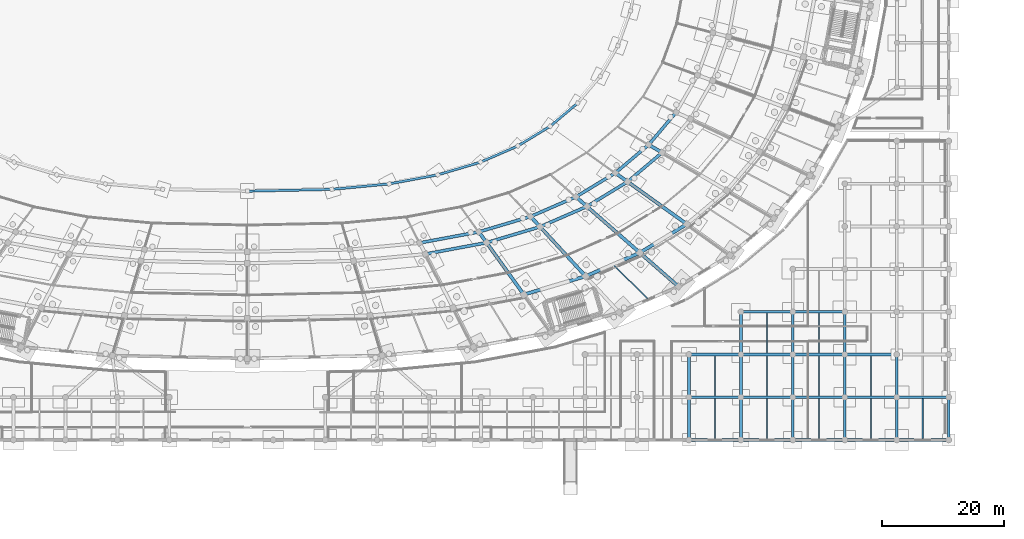
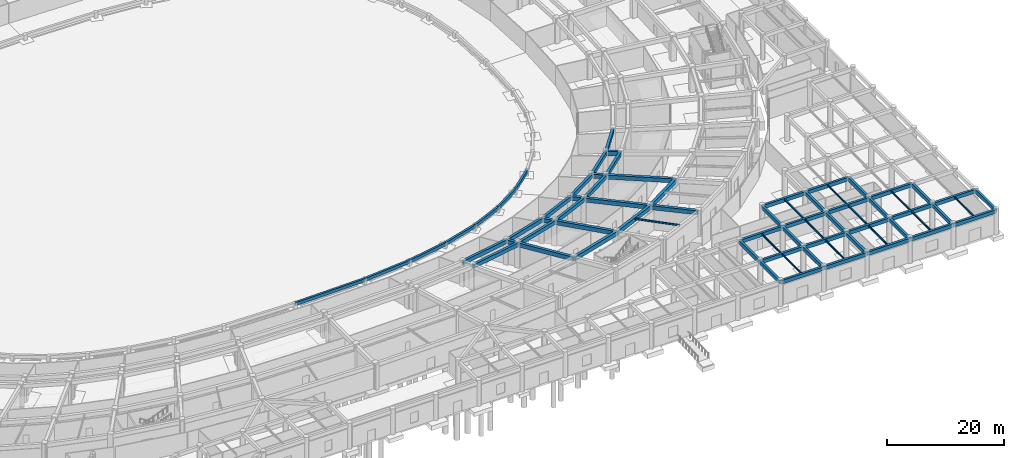
# One storey, part 30 of 88: 73 beams.
"""IFC4 building model written with IfcOpenShell, lengths in metres."""

from ifc_helpers import new_model, si_unit, direction, frame, origin, origin_2d, place, context, subcontext, project, spatial, rectangle, i_section, extrude, material, material_profile, profile_set, type_object, element, save


model = new_model("IFC4")

# Units and contexts
model_context = context("Model", 3, precision=1e-05, world=origin(), true_north=direction((0.0, 1.0)))
body_context = subcontext(model_context, "Body", "Model", "MODEL_VIEW")
ifc_project = project(units=[si_unit("LENGTHUNIT", "METRE"), si_unit("AREAUNIT", "SQUARE_METRE"), si_unit("VOLUMEUNIT", "CUBIC_METRE"), si_unit("PLANEANGLEUNIT", "RADIAN"), si_unit("MASSUNIT", "GRAM", prefix="KILO")], contexts=[model_context])

# Site, building, storey
site_placement = place(None, origin())
site = spatial("IfcSite", under=ifc_project, at=site_placement, CompositionType="ELEMENT")
building_placement = place(site_placement, origin())
building = spatial("IfcBuilding", under=site, at=building_placement, Name="Mphavela Belvedere Stadium", CompositionType="ELEMENT")
storey_placement = place(building_placement, origin())
storey = spatial("IfcBuildingStorey", under=building, at=storey_placement, Name="L00", CompositionType="ELEMENT", Elevation=0.0)

# Beams
ifc_material_1 = material(Name="Steel S355", Category="steel")
ifc_material_profile_1 = material_profile(ifc_material_1, i_section(OverallWidth=0.169921875, OverallDepth=0.360107421875, WebThickness=0.008056640625, FlangeThickness=0.0126953125, at=origin_2d()), Name="IPE 360")
ifc_profile_set_1 = profile_set([ifc_material_profile_1], Name="Steel S355")
beam_type_1 = type_object("IfcBeamType", Name="BM-JOIST-IPE360", PredefinedType="JOIST", material=ifc_profile_set_1)
beam_1_placement = place(storey_placement, frame((174.918212890625, 28.757568359375, 4.969970703125), z_axis=(0.717067022089, -0.697004222249, 0.0), x_axis=(0.697004222249, 0.717067022089, 0.0)))
element("IfcBeam", 1, at=beam_1_placement, inside=storey, type_object=beam_type_1, Name="Concourse floor joist L00-41", PredefinedType="JOIST", context=body_context, shape_type="SweptSolid", body=[
    extrude(i_section(OverallWidth=0.169921875, OverallDepth=0.360107421875, WebThickness=0.008056640625, FlangeThickness=0.0126953125, at=origin_2d()), origin(), (0.0, 0.0, 1.0), 8.22607421875),
])
for number, where, z_axis, x_axis, name in (
    (2, (191.66650390625, 0.22509765625, 4.9599609375), (0.0, 1.0, 0.0), (-1.0, 0.0, 0.0), "South Axial Triumphal Peristyle Portico secondary joist L00 23-1"),
    (3, (191.66650390625, 7.22509765625, 4.9599609375), (0.0, 1.0, 0.0), (-1.0, 0.0, 0.0), "South Axial Triumphal Peristyle Portico secondary joist L00 23-2"),
    (4, (200.18505859375, 0.22509765625, 4.9599609375), (0.0, 1.0, 0.0), (-1.0, 0.0, 0.0), "South Axial Triumphal Peristyle Portico secondary joist L00 24-1"),
    (5, (200.18505859375, 7.22509765625, 4.9599609375), (0.0, 1.0, 0.0), (-1.0, 0.0, 0.0), "South Axial Triumphal Peristyle Portico secondary joist L00 24-2"),
    (6, (200.18505859375, 14.22509765625, 4.9599609375), (0.0, 1.0, 0.0), (-1.0, 0.0, 0.0), "South Axial Triumphal Peristyle Portico secondary joist L00 24-3"),
    (7, (208.70361328125, 0.22509765625, 4.9599609375), (0.0, 1.0, 0.0), (-1.0, 0.0, 0.0), "South Axial Triumphal Peristyle Portico secondary joist L00 25-1"),
    (8, (208.70361328125, 7.22509765625, 4.9599609375), (0.0, 1.0, 0.0), (-1.0, 0.0, 0.0), "South Axial Triumphal Peristyle Portico secondary joist L00 25-2"),
    (9, (208.70361328125, 14.22509765625, 4.9599609375), (0.0, 1.0, 0.0), (-1.0, 0.0, 0.0), "South Axial Triumphal Peristyle Portico secondary joist L00 25-3"),
    (10, (217.221923828125, 0.22509765625, 4.9599609375), (0.0, 1.0, 0.0), (-1.0, 0.0, 0.0), "South Axial Triumphal Peristyle Portico secondary joist L00 26-1"),
    (11, (217.221923828125, 7.22509765625, 4.9599609375), (0.0, 1.0, 0.0), (-1.0, 0.0, 0.0), "South Axial Triumphal Peristyle Portico secondary joist L00 26-2"),
    (12, (225.740478515625, 0.22509765625, 4.9599609375), (0.0, 1.0, 0.0), (-1.0, 0.0, 0.0), "South Axial Triumphal Peristyle Portico secondary joist L00 27-1"),
):
    element("IfcBeam", number, at=place(storey_placement, frame(where, z_axis=z_axis, x_axis=x_axis)), inside=storey, type_object=beam_type_1, Name=name, PredefinedType="JOIST", context=body_context, shape_type="SweptSolid", body=[
        extrude(i_section(OverallWidth=0.169921875, OverallDepth=0.360107421875, WebThickness=0.008056640625, FlangeThickness=0.0126953125, at=origin_2d()), origin(), (0.0, 0.0, 1.0), 6.5498046875),
    ])
ifc_material_2 = material(Name="Concrete C40/50", Category="concrete")
ifc_material_profile_2 = material_profile(ifc_material_2, rectangle(XDim=0.39990234375, YDim=0.64990234375, at=origin_2d()), Name="RC 400x650")
ifc_profile_set_2 = profile_set([ifc_material_profile_2], Name="Concrete C40/50")
beam_type_2 = type_object("IfcBeamType", Name="BM-RC400x650", PredefinedType="BEAM", material=ifc_profile_set_2)
beam_2_placement = place(storey_placement, frame((115.0, 40.782470703125, 0.824951171875), z_axis=(0.99976811519, 0.021534062558, 0.0), x_axis=(-0.021534062558, 0.99976811519, 0.0)))
element("IfcBeam", 13, at=beam_2_placement, inside=storey, type_object=beam_type_2, Name="Lower tier plinth ring beam 37", PredefinedType="BEAM", context=body_context, shape_type="SweptSolid", body=[
    extrude(rectangle(XDim=0.39990234375, YDim=0.64990234375, at=origin_2d()), origin(), (0.0, 0.0, 1.0), 13.876953125),
])
beam_3_placement = place(storey_placement, frame((128.873779296875, 41.081298828125, 0.824951171875), z_axis=(0.995485107266, 0.094917865605, 0.0), x_axis=(-0.094917865605, 0.995485107266, 0.0)))
element("IfcBeam", 14, at=beam_3_placement, inside=storey, type_object=beam_type_2, Name="Lower tier plinth ring beam 38", PredefinedType="BEAM", context=body_context, shape_type="SweptSolid", body=[
    extrude(rectangle(XDim=0.39990234375, YDim=0.64990234375, at=origin_2d()), origin(), (0.0, 0.0, 1.0), 9.4267578125),
])
beam_4_placement = place(storey_placement, frame((138.258056640625, 41.97607421875, 0.824951171875), z_axis=(0.983092319169, 0.183110600433, 0.0), x_axis=(-0.183110600433, 0.983092319169, 0.0)))
element("IfcBeam", 15, at=beam_4_placement, inside=storey, type_object=beam_type_2, Name="Lower tier plinth ring beam 39", PredefinedType="BEAM", context=body_context, shape_type="SweptSolid", body=[
    extrude(rectangle(XDim=0.39990234375, YDim=0.64990234375, at=origin_2d()), origin(), (0.0, 0.0, 1.0), 8.12255859375),
])
beam_5_placement = place(storey_placement, frame((146.2431640625, 43.46337890625, 0.824951171875), z_axis=(0.958662145349, 0.284546817018, 0.0), x_axis=(-0.284546817018, 0.958662145349, 0.0)))
element("IfcBeam", 16, at=beam_5_placement, inside=storey, type_object=beam_type_2, Name="Lower tier plinth ring beam 40", PredefinedType="BEAM", context=body_context, shape_type="SweptSolid", body=[
    extrude(rectangle(XDim=0.39990234375, YDim=0.64990234375, at=origin_2d()), origin(), (0.0, 0.0, 1.0), 7.287841796875),
])
beam_6_placement = place(storey_placement, frame((153.229736328125, 45.537109375, 0.824951171875), z_axis=(0.917505783131, 0.397722438293, 0.0), x_axis=(-0.397722438293, 0.917505783131, 0.0)))
element("IfcBeam", 17, at=beam_6_placement, inside=storey, type_object=beam_type_2, Name="Lower tier plinth ring beam 41", PredefinedType="BEAM", context=body_context, shape_type="SweptSolid", body=[
    extrude(rectangle(XDim=0.39990234375, YDim=0.64990234375, at=origin_2d()), origin(), (0.0, 0.0, 1.0), 6.672607421875),
])
beam_7_placement = place(storey_placement, frame((159.351806640625, 48.19091796875, 0.824951171875), z_axis=(0.854317681937, 0.519751188868, 0.0), x_axis=(-0.519751188868, 0.854317681937, 0.0)))
element("IfcBeam", 18, at=beam_7_placement, inside=storey, type_object=beam_type_2, Name="Lower tier plinth ring beam 42", PredefinedType="BEAM", context=body_context, shape_type="SweptSolid", body=[
    extrude(rectangle(XDim=0.39990234375, YDim=0.64990234375, at=origin_2d()), origin(), (0.0, 0.0, 1.0), 6.212158203125),
])
beam_8_placement = place(storey_placement, frame((164.658935546875, 51.419677734375, 0.824951171875), z_axis=(0.764252578724, 0.644917045762, 0.0), x_axis=(-0.644917045762, 0.764252578724, 0.0)))
element("IfcBeam", 19, at=beam_8_placement, inside=storey, type_object=beam_type_2, Name="Lower tier plinth ring beam 43", PredefinedType="BEAM", context=body_context, shape_type="SweptSolid", body=[
    extrude(rectangle(XDim=0.39990234375, YDim=0.64990234375, at=origin_2d()), origin(), (0.0, 0.0, 1.0), 5.89599609375),
])
ifc_material_3 = material(Name="Concrete C40/50", Category="concrete")
ifc_material_profile_3 = material_profile(ifc_material_3, rectangle(XDim=0.449951171875, YDim=0.75, at=origin_2d()), Name="RC 450x750")
ifc_profile_set_3 = profile_set([ifc_material_profile_3], Name="Concrete C40/50")
beam_type_3 = type_object("IfcBeamType", Name="BM-RC450x750", PredefinedType="BEAM", material=ifc_profile_set_3)
beam_9_placement = place(storey_placement, frame((187.406982421875, 0.0, 4.764892578125), z_axis=(1.0, 0.0, 0.0), x_axis=(0.0, 1.0, 0.0)))
element("IfcBeam", 20, at=beam_9_placement, inside=storey, type_object=beam_type_3, Name="South Axial Triumphal Peristyle Portico entablature beam X L00 23-1", PredefinedType="BEAM", context=body_context, shape_type="SweptSolid", body=[
    extrude(rectangle(XDim=0.449951171875, YDim=0.75, at=origin_2d()), origin(), (0.0, 0.0, 1.0), 8.51904296875),
])
beam_10_placement = place(storey_placement, frame((187.406982421875, 0.0, 4.764892578125), z_axis=(0.0, 1.0, 0.0), x_axis=(-1.0, 0.0, 0.0)))
element("IfcBeam", 21, at=beam_10_placement, inside=storey, type_object=beam_type_3, Name="South Axial Triumphal Peristyle Portico entablature beam Y L00 23-1", PredefinedType="BEAM", context=body_context, shape_type="SweptSolid", body=[
    extrude(rectangle(XDim=0.449951171875, YDim=0.75, at=origin_2d()), origin(), (0.0, 0.0, 1.0), 7.0),
])
beam_11_placement = place(storey_placement, frame((187.406982421875, 7.0, 4.764892578125), z_axis=(1.0, 0.0, 0.0), x_axis=(0.0, 1.0, 0.0)))
element("IfcBeam", 22, at=beam_11_placement, inside=storey, type_object=beam_type_3, Name="South Axial Triumphal Peristyle Portico entablature beam X L00 23-2", PredefinedType="BEAM", context=body_context, shape_type="SweptSolid", body=[
    extrude(rectangle(XDim=0.449951171875, YDim=0.75, at=origin_2d()), origin(), (0.0, 0.0, 1.0), 8.51904296875),
])
beam_12_placement = place(storey_placement, frame((187.406982421875, 7.0, 4.764892578125), z_axis=(0.0, 1.0, 0.0), x_axis=(-1.0, 0.0, 0.0)))
element("IfcBeam", 23, at=beam_12_placement, inside=storey, type_object=beam_type_3, Name="South Axial Triumphal Peristyle Portico entablature beam Y L00 23-2", PredefinedType="BEAM", context=body_context, shape_type="SweptSolid", body=[
    extrude(rectangle(XDim=0.449951171875, YDim=0.75, at=origin_2d()), origin(), (0.0, 0.0, 1.0), 7.0),
])
beam_13_placement = place(storey_placement, frame((187.406982421875, 14.0, 4.764892578125), z_axis=(1.0, 0.0, 0.0), x_axis=(0.0, 1.0, 0.0)))
element("IfcBeam", 24, at=beam_13_placement, inside=storey, type_object=beam_type_3, Name="South Axial Triumphal Peristyle Portico entablature beam X L00 23-3", PredefinedType="BEAM", context=body_context, shape_type="SweptSolid", body=[
    extrude(rectangle(XDim=0.449951171875, YDim=0.75, at=origin_2d()), origin(), (0.0, 0.0, 1.0), 8.51904296875),
])
beam_14_placement = place(storey_placement, frame((195.926025390625, 0.0, 4.764892578125), z_axis=(1.0, 0.0, 0.0), x_axis=(0.0, 1.0, 0.0)))
element("IfcBeam", 25, at=beam_14_placement, inside=storey, type_object=beam_type_3, Name="South Axial Triumphal Peristyle Portico entablature beam X L00 24-1", PredefinedType="BEAM", context=body_context, shape_type="SweptSolid", body=[
    extrude(rectangle(XDim=0.449951171875, YDim=0.75, at=origin_2d()), origin(), (0.0, 0.0, 1.0), 8.51806640625),
])
beam_15_placement = place(storey_placement, frame((195.926025390625, 0.0, 4.764892578125), z_axis=(0.0, 1.0, 0.0), x_axis=(-1.0, 0.0, 0.0)))
element("IfcBeam", 26, at=beam_15_placement, inside=storey, type_object=beam_type_3, Name="South Axial Triumphal Peristyle Portico entablature beam Y L00 24-1", PredefinedType="BEAM", context=body_context, shape_type="SweptSolid", body=[
    extrude(rectangle(XDim=0.449951171875, YDim=0.75, at=origin_2d()), origin(), (0.0, 0.0, 1.0), 7.0),
])
beam_16_placement = place(storey_placement, frame((195.926025390625, 7.0, 4.764892578125), z_axis=(1.0, 0.0, 0.0), x_axis=(0.0, 1.0, 0.0)))
element("IfcBeam", 27, at=beam_16_placement, inside=storey, type_object=beam_type_3, Name="South Axial Triumphal Peristyle Portico entablature beam X L00 24-2", PredefinedType="BEAM", context=body_context, shape_type="SweptSolid", body=[
    extrude(rectangle(XDim=0.449951171875, YDim=0.75, at=origin_2d()), origin(), (0.0, 0.0, 1.0), 8.51806640625),
])
beam_17_placement = place(storey_placement, frame((195.926025390625, 7.0, 4.764892578125), z_axis=(0.0, 1.0, 0.0), x_axis=(-1.0, 0.0, 0.0)))
element("IfcBeam", 28, at=beam_17_placement, inside=storey, type_object=beam_type_3, Name="South Axial Triumphal Peristyle Portico entablature beam Y L00 24-2", PredefinedType="BEAM", context=body_context, shape_type="SweptSolid", body=[
    extrude(rectangle(XDim=0.449951171875, YDim=0.75, at=origin_2d()), origin(), (0.0, 0.0, 1.0), 7.0),
])
beam_18_placement = place(storey_placement, frame((195.926025390625, 14.0, 4.764892578125), z_axis=(1.0, 0.0, 0.0), x_axis=(0.0, 1.0, 0.0)))
element("IfcBeam", 29, at=beam_18_placement, inside=storey, type_object=beam_type_3, Name="South Axial Triumphal Peristyle Portico entablature beam X L00 24-3", PredefinedType="BEAM", context=body_context, shape_type="SweptSolid", body=[
    extrude(rectangle(XDim=0.449951171875, YDim=0.75, at=origin_2d()), origin(), (0.0, 0.0, 1.0), 8.51806640625),
])
beam_19_placement = place(storey_placement, frame((195.926025390625, 14.0, 4.764892578125), z_axis=(0.0, 1.0, 0.0), x_axis=(-1.0, 0.0, 0.0)))
element("IfcBeam", 30, at=beam_19_placement, inside=storey, type_object=beam_type_3, Name="South Axial Triumphal Peristyle Portico entablature beam Y L00 24-3", PredefinedType="BEAM", context=body_context, shape_type="SweptSolid", body=[
    extrude(rectangle(XDim=0.449951171875, YDim=0.75, at=origin_2d()), origin(), (0.0, 0.0, 1.0), 7.0),
])
beam_20_placement = place(storey_placement, frame((195.926025390625, 21.0, 4.764892578125), z_axis=(1.0, 0.0, 0.0), x_axis=(0.0, 1.0, 0.0)))
element("IfcBeam", 31, at=beam_20_placement, inside=storey, type_object=beam_type_3, Name="South Axial Triumphal Peristyle Portico entablature beam X L00 24-4", PredefinedType="BEAM", context=body_context, shape_type="SweptSolid", body=[
    extrude(rectangle(XDim=0.449951171875, YDim=0.75, at=origin_2d()), origin(), (0.0, 0.0, 1.0), 8.51806640625),
])
beam_21_placement = place(storey_placement, frame((204.444091796875, 0.0, 4.764892578125), z_axis=(1.0, 0.0, 0.0), x_axis=(0.0, 1.0, 0.0)))
element("IfcBeam", 32, at=beam_21_placement, inside=storey, type_object=beam_type_3, Name="South Axial Triumphal Peristyle Portico entablature beam X L00 25-1", PredefinedType="BEAM", context=body_context, shape_type="SweptSolid", body=[
    extrude(rectangle(XDim=0.449951171875, YDim=0.75, at=origin_2d()), origin(), (0.0, 0.0, 1.0), 8.518798828125),
])
beam_22_placement = place(storey_placement, frame((204.444091796875, 0.0, 4.764892578125), z_axis=(0.0, 1.0, 0.0), x_axis=(-1.0, 0.0, 0.0)))
element("IfcBeam", 33, at=beam_22_placement, inside=storey, type_object=beam_type_3, Name="South Axial Triumphal Peristyle Portico entablature beam Y L00 25-1", PredefinedType="BEAM", context=body_context, shape_type="SweptSolid", body=[
    extrude(rectangle(XDim=0.449951171875, YDim=0.75, at=origin_2d()), origin(), (0.0, 0.0, 1.0), 7.0),
])
beam_23_placement = place(storey_placement, frame((204.444091796875, 7.0, 4.764892578125), z_axis=(1.0, 0.0, 0.0), x_axis=(0.0, 1.0, 0.0)))
element("IfcBeam", 34, at=beam_23_placement, inside=storey, type_object=beam_type_3, Name="South Axial Triumphal Peristyle Portico entablature beam X L00 25-2", PredefinedType="BEAM", context=body_context, shape_type="SweptSolid", body=[
    extrude(rectangle(XDim=0.449951171875, YDim=0.75, at=origin_2d()), origin(), (0.0, 0.0, 1.0), 8.518798828125),
])
beam_24_placement = place(storey_placement, frame((204.444091796875, 7.0, 4.764892578125), z_axis=(0.0, 1.0, 0.0), x_axis=(-1.0, 0.0, 0.0)))
element("IfcBeam", 35, at=beam_24_placement, inside=storey, type_object=beam_type_3, Name="South Axial Triumphal Peristyle Portico entablature beam Y L00 25-2", PredefinedType="BEAM", context=body_context, shape_type="SweptSolid", body=[
    extrude(rectangle(XDim=0.449951171875, YDim=0.75, at=origin_2d()), origin(), (0.0, 0.0, 1.0), 7.0),
])
beam_25_placement = place(storey_placement, frame((204.444091796875, 14.0, 4.764892578125), z_axis=(1.0, 0.0, 0.0), x_axis=(0.0, 1.0, 0.0)))
element("IfcBeam", 36, at=beam_25_placement, inside=storey, type_object=beam_type_3, Name="South Axial Triumphal Peristyle Portico entablature beam X L00 25-3", PredefinedType="BEAM", context=body_context, shape_type="SweptSolid", body=[
    extrude(rectangle(XDim=0.449951171875, YDim=0.75, at=origin_2d()), origin(), (0.0, 0.0, 1.0), 8.518798828125),
])
beam_26_placement = place(storey_placement, frame((204.444091796875, 14.0, 4.764892578125), z_axis=(0.0, 1.0, 0.0), x_axis=(-1.0, 0.0, 0.0)))
element("IfcBeam", 37, at=beam_26_placement, inside=storey, type_object=beam_type_3, Name="South Axial Triumphal Peristyle Portico entablature beam Y L00 25-3", PredefinedType="BEAM", context=body_context, shape_type="SweptSolid", body=[
    extrude(rectangle(XDim=0.449951171875, YDim=0.75, at=origin_2d()), origin(), (0.0, 0.0, 1.0), 7.0),
])
beam_27_placement = place(storey_placement, frame((204.444091796875, 21.0, 4.764892578125), z_axis=(1.0, 0.0, 0.0), x_axis=(0.0, 1.0, 0.0)))
element("IfcBeam", 38, at=beam_27_placement, inside=storey, type_object=beam_type_3, Name="South Axial Triumphal Peristyle Portico entablature beam X L00 25-4", PredefinedType="BEAM", context=body_context, shape_type="SweptSolid", body=[
    extrude(rectangle(XDim=0.449951171875, YDim=0.75, at=origin_2d()), origin(), (0.0, 0.0, 1.0), 8.518798828125),
])
beam_28_placement = place(storey_placement, frame((212.962890625, 0.0, 4.764892578125), z_axis=(1.0, 0.0, 0.0), x_axis=(0.0, 1.0, 0.0)))
element("IfcBeam", 39, at=beam_28_placement, inside=storey, type_object=beam_type_3, Name="South Axial Triumphal Peristyle Portico entablature beam X L00 26-1", PredefinedType="BEAM", context=body_context, shape_type="SweptSolid", body=[
    extrude(rectangle(XDim=0.449951171875, YDim=0.75, at=origin_2d()), origin(), (0.0, 0.0, 1.0), 8.51806640625),
])
beam_29_placement = place(storey_placement, frame((212.962890625, 0.0, 4.764892578125), z_axis=(0.0, 1.0, 0.0), x_axis=(-1.0, 0.0, 0.0)))
element("IfcBeam", 40, at=beam_29_placement, inside=storey, type_object=beam_type_3, Name="South Axial Triumphal Peristyle Portico entablature beam Y L00 26-1", PredefinedType="BEAM", context=body_context, shape_type="SweptSolid", body=[
    extrude(rectangle(XDim=0.449951171875, YDim=0.75, at=origin_2d()), origin(), (0.0, 0.0, 1.0), 7.0),
])
beam_30_placement = place(storey_placement, frame((212.962890625, 7.0, 4.764892578125), z_axis=(1.0, 0.0, 0.0), x_axis=(0.0, 1.0, 0.0)))
element("IfcBeam", 41, at=beam_30_placement, inside=storey, type_object=beam_type_3, Name="South Axial Triumphal Peristyle Portico entablature beam X L00 26-2", PredefinedType="BEAM", context=body_context, shape_type="SweptSolid", body=[
    extrude(rectangle(XDim=0.449951171875, YDim=0.75, at=origin_2d()), origin(), (0.0, 0.0, 1.0), 8.51806640625),
])
beam_31_placement = place(storey_placement, frame((212.962890625, 7.0, 4.764892578125), z_axis=(0.0, 1.0, 0.0), x_axis=(-1.0, 0.0, 0.0)))
element("IfcBeam", 42, at=beam_31_placement, inside=storey, type_object=beam_type_3, Name="South Axial Triumphal Peristyle Portico entablature beam Y L00 26-2", PredefinedType="BEAM", context=body_context, shape_type="SweptSolid", body=[
    extrude(rectangle(XDim=0.449951171875, YDim=0.75, at=origin_2d()), origin(), (0.0, 0.0, 1.0), 7.0),
])
beam_32_placement = place(storey_placement, frame((212.962890625, 14.0, 4.764892578125), z_axis=(1.0, 0.0, 0.0), x_axis=(0.0, 1.0, 0.0)))
element("IfcBeam", 43, at=beam_32_placement, inside=storey, type_object=beam_type_3, Name="South Axial Triumphal Peristyle Portico entablature beam X L00 26-3", PredefinedType="BEAM", context=body_context, shape_type="SweptSolid", body=[
    extrude(rectangle(XDim=0.449951171875, YDim=0.75, at=origin_2d()), origin(), (0.0, 0.0, 1.0), 8.51806640625),
])
beam_33_placement = place(storey_placement, frame((212.962890625, 14.0, 4.764892578125), z_axis=(0.0, 1.0, 0.0), x_axis=(-1.0, 0.0, 0.0)))
element("IfcBeam", 44, at=beam_33_placement, inside=storey, type_object=beam_type_3, Name="South Axial Triumphal Peristyle Portico entablature beam Y L00 26-3", PredefinedType="BEAM", context=body_context, shape_type="SweptSolid", body=[
    extrude(rectangle(XDim=0.449951171875, YDim=0.75, at=origin_2d()), origin(), (0.0, 0.0, 1.0), 7.0),
])
beam_34_placement = place(storey_placement, frame((221.48095703125, 0.0, 4.764892578125), z_axis=(1.0, 0.0, 0.0), x_axis=(0.0, 1.0, 0.0)))
element("IfcBeam", 45, at=beam_34_placement, inside=storey, type_object=beam_type_3, Name="South Axial Triumphal Peristyle Portico entablature beam X L00 27-1", PredefinedType="BEAM", context=body_context, shape_type="SweptSolid", body=[
    extrude(rectangle(XDim=0.449951171875, YDim=0.75, at=origin_2d()), origin(), (0.0, 0.0, 1.0), 8.51904296875),
])
beam_35_placement = place(storey_placement, frame((221.48095703125, 0.0, 4.764892578125), z_axis=(0.0, 1.0, 0.0), x_axis=(-1.0, 0.0, 0.0)))
element("IfcBeam", 46, at=beam_35_placement, inside=storey, type_object=beam_type_3, Name="South Axial Triumphal Peristyle Portico entablature beam Y L00 27-1", PredefinedType="BEAM", context=body_context, shape_type="SweptSolid", body=[
    extrude(rectangle(XDim=0.449951171875, YDim=0.75, at=origin_2d()), origin(), (0.0, 0.0, 1.0), 7.0),
])
beam_36_placement = place(storey_placement, frame((221.48095703125, 7.0, 4.764892578125), z_axis=(1.0, 0.0, 0.0), x_axis=(0.0, 1.0, 0.0)))
element("IfcBeam", 47, at=beam_36_placement, inside=storey, type_object=beam_type_3, Name="South Axial Triumphal Peristyle Portico entablature beam X L00 27-2", PredefinedType="BEAM", context=body_context, shape_type="SweptSolid", body=[
    extrude(rectangle(XDim=0.449951171875, YDim=0.75, at=origin_2d()), origin(), (0.0, 0.0, 1.0), 8.51904296875),
])
for number, where, z_axis, x_axis, name in (
    (48, (221.48095703125, 7.0, 4.764892578125), (0.0, 1.0, 0.0), (-1.0, 0.0, 0.0), "South Axial Triumphal Peristyle Portico entablature beam Y L00 27-2"),
    (49, (230.0, 0.0, 4.764892578125), (0.0, 1.0, 0.0), (-1.0, 0.0, 0.0), "South Axial Triumphal Peristyle Portico entablature beam Y L00 28-1"),
):
    element("IfcBeam", number, at=place(storey_placement, frame(where, z_axis=z_axis, x_axis=x_axis)), inside=storey, type_object=beam_type_3, Name=name, PredefinedType="BEAM", context=body_context, shape_type="SweptSolid", body=[
        extrude(rectangle(XDim=0.449951171875, YDim=0.75, at=origin_2d()), origin(), (0.0, 0.0, 1.0), 7.0),
    ])
ifc_material_4 = material(Name="Concrete C40/50", Category="concrete")
ifc_material_profile_4 = material_profile(ifc_material_4, rectangle(XDim=0.5, YDim=0.800048828125, at=origin_2d()), Name="RC 500x800")
ifc_profile_set_4 = profile_set([ifc_material_profile_4], Name="Concrete C40/50")
beam_type_4 = type_object("IfcBeamType", Name="BM-RC500x800", PredefinedType="BEAM", material=ifc_profile_set_4)
beam_37_placement = place(storey_placement, frame((143.25927734375, 32.294189453125, 4.75), z_axis=(0.983092994202, 0.183106976248, 0.0), x_axis=(-0.183106976248, 0.983092994202, 0.0)))
element("IfcBeam", 50, at=beam_37_placement, inside=storey, type_object=beam_type_4, Name="Circumferential girder L00 R1-39", PredefinedType="BEAM", context=body_context, shape_type="SweptSolid", body=[
    extrude(rectangle(XDim=0.5, YDim=0.800048828125, at=origin_2d()), origin(), (0.0, 0.0, 1.0), 9.869140625),
])
beam_38_placement = place(storey_placement, frame((144.20361328125, 30.46630859375, 4.75), z_axis=(0.983098802226, 0.183075790485, 0.0), x_axis=(-0.183075790485, 0.983098802226, 0.0)))
element("IfcBeam", 51, at=beam_38_placement, inside=storey, type_object=beam_type_4, Name="Circumferential girder L00 R2-39", PredefinedType="BEAM", context=body_context, shape_type="SweptSolid", body=[
    extrude(rectangle(XDim=0.5, YDim=0.800048828125, at=origin_2d()), origin(), (0.0, 0.0, 1.0), 10.198974609375),
])
beam_39_placement = place(storey_placement, frame((152.961669921875, 34.101318359375, 4.75), z_axis=(0.958656973737, 0.284564240033, 0.0), x_axis=(-0.284564240033, 0.958656973737, 0.0)))
element("IfcBeam", 52, at=beam_39_placement, inside=storey, type_object=beam_type_4, Name="Circumferential girder L00 R1-40", PredefinedType="BEAM", context=body_context, shape_type="SweptSolid", body=[
    extrude(rectangle(XDim=0.5, YDim=0.800048828125, at=origin_2d()), origin(), (0.0, 0.0, 1.0), 8.854736328125),
])
beam_40_placement = place(storey_placement, frame((154.230224609375, 32.33349609375, 4.75), z_axis=(0.958656419443, 0.284566107363, 0.0), x_axis=(-0.284566107363, 0.958656419443, 0.0)))
element("IfcBeam", 53, at=beam_40_placement, inside=storey, type_object=beam_type_4, Name="Circumferential girder L00 R2-40", PredefinedType="BEAM", context=body_context, shape_type="SweptSolid", body=[
    extrude(rectangle(XDim=0.5, YDim=0.800048828125, at=origin_2d()), origin(), (0.0, 0.0, 1.0), 9.15087890625),
])
beam_41_placement = place(storey_placement, frame((161.450439453125, 36.62109375, 4.75), z_axis=(0.917503251148, 0.397728279273, 0.0), x_axis=(-0.397728279273, 0.917503251148, 0.0)))
element("IfcBeam", 54, at=beam_41_placement, inside=storey, type_object=beam_type_4, Name="Circumferential girder L00 R1-41", PredefinedType="BEAM", context=body_context, shape_type="SweptSolid", body=[
    extrude(rectangle(XDim=0.5, YDim=0.800048828125, at=origin_2d()), origin(), (0.0, 0.0, 1.0), 8.107666015625),
])
beam_42_placement = place(storey_placement, frame((163.002685546875, 34.9375, 4.75), z_axis=(0.917495728928, 0.397745631526, 0.0), x_axis=(-0.397745631526, 0.917495728928, 0.0)))
element("IfcBeam", 55, at=beam_42_placement, inside=storey, type_object=beam_type_4, Name="Circumferential girder L00 R2-41", PredefinedType="BEAM", context=body_context, shape_type="SweptSolid", body=[
    extrude(rectangle(XDim=0.5, YDim=0.800048828125, at=origin_2d()), origin(), (0.0, 0.0, 1.0), 8.37841796875),
])
beam_43_placement = place(storey_placement, frame((168.88916015625, 39.845703125, 4.75), z_axis=(0.854325951403, 0.51973759606, 0.0), x_axis=(-0.51973759606, 0.854325951403, 0.0)))
element("IfcBeam", 56, at=beam_43_placement, inside=storey, type_object=beam_type_4, Name="Circumferential girder L00 R1-42", PredefinedType="BEAM", context=body_context, shape_type="SweptSolid", body=[
    extrude(rectangle(XDim=0.5, YDim=0.800048828125, at=origin_2d()), origin(), (0.0, 0.0, 1.0), 7.5478515625),
])
beam_44_placement = place(storey_placement, frame((170.68994140625, 38.27001953125, 4.75), z_axis=(0.854328477138, 0.519733444326, 0.0), x_axis=(-0.519733444326, 0.854328477138, 0.0)))
element("IfcBeam", 57, at=beam_44_placement, inside=storey, type_object=beam_type_4, Name="Circumferential girder L00 R2-42", PredefinedType="BEAM", context=body_context, shape_type="SweptSolid", body=[
    extrude(rectangle(XDim=0.5, YDim=0.800048828125, at=origin_2d()), origin(), (0.0, 0.0, 1.0), 7.800048828125),
])
beam_45_placement = place(storey_placement, frame((175.33740234375, 43.7685546875, 4.75), z_axis=(0.76425683958, 0.644911996442, 0.0), x_axis=(-0.644911996442, 0.76425683958, 0.0)))
element("IfcBeam", 58, at=beam_45_placement, inside=storey, type_object=beam_type_4, Name="Circumferential girder L00 R1-43", PredefinedType="BEAM", context=body_context, shape_type="SweptSolid", body=[
    extrude(rectangle(XDim=0.5, YDim=0.800048828125, at=origin_2d()), origin(), (0.0, 0.0, 1.0), 7.1640625),
])
beam_46_placement = place(storey_placement, frame((177.353759765625, 42.323974609375, 4.75), z_axis=(0.764257451296, 0.644911271523, 0.0), x_axis=(-0.644911271523, 0.764257451296, 0.0)))
element("IfcBeam", 59, at=beam_46_placement, inside=storey, type_object=beam_type_4, Name="Circumferential girder L00 R2-43", PredefinedType="BEAM", context=body_context, shape_type="SweptSolid", body=[
    extrude(rectangle(XDim=0.5, YDim=0.800048828125, at=origin_2d()), origin(), (0.0, 0.0, 1.0), 7.4033203125),
])
beam_47_placement = place(storey_placement, frame((180.8125, 48.388671875, 4.75), z_axis=(0.645159025586, 0.764048317651, 0.0), x_axis=(-0.764048317651, 0.645159025586, 0.0)))
element("IfcBeam", 60, at=beam_47_placement, inside=storey, type_object=beam_type_4, Name="Circumferential girder L00 R1-44", PredefinedType="BEAM", context=body_context, shape_type="SweptSolid", body=[
    extrude(rectangle(XDim=0.5, YDim=0.800048828125, at=origin_2d()), origin(), (0.0, 0.0, 1.0), 6.975830078125),
])
ifc_material_5 = material(Name="Concrete C40/50", Category="concrete")
ifc_material_profile_5 = material_profile(ifc_material_5, rectangle(XDim=0.550048828125, YDim=0.85009765625, at=origin_2d()), Name="RC 550x850")
ifc_profile_set_5 = profile_set([ifc_material_profile_5], Name="Concrete C40/50")
beam_type_5 = type_object("IfcBeamType", Name="BM-RC550x850", PredefinedType="BEAM", material=ifc_profile_set_5)
beam_48_placement = place(storey_placement, frame((160.337890625, 23.822509765625, 4.72509765625), z_axis=(0.958655230784, 0.284570111731, 0.0), x_axis=(-0.284570111731, 0.958655230784, 0.0)))
element("IfcBeam", 61, at=beam_48_placement, inside=storey, type_object=beam_type_5, Name="Circumferential girder L00 R3-40", PredefinedType="BEAM", context=body_context, shape_type="SweptSolid", body=[
    extrude(rectangle(XDim=0.550048828125, YDim=0.85009765625, at=origin_2d()), origin(), (0.0, 0.0, 1.0), 10.57568359375),
])
beam_49_placement = place(storey_placement, frame((152.961669921875, 34.101318359375, 4.72509765625), z_axis=(0.583009326667, -0.812465460816, 0.0), x_axis=(0.812465460816, 0.583009326667, 0.0)))
element("IfcBeam", 62, at=beam_49_placement, inside=storey, type_object=beam_type_5, Name="Radial concourse girder L00 R1R2-40", PredefinedType="BEAM", context=body_context, shape_type="SweptSolid", body=[
    extrude(rectangle(XDim=0.550048828125, YDim=0.85009765625, at=origin_2d()), origin(), (0.0, 0.0, 1.0), 2.17578125),
])
beam_50_placement = place(storey_placement, frame((154.230224609375, 32.33349609375, 4.72509765625), z_axis=(0.583031296474, -0.812449695262, 0.0), x_axis=(0.812449695262, 0.583031296474, 0.0)))
element("IfcBeam", 63, at=beam_50_placement, inside=storey, type_object=beam_type_5, Name="Radial concourse girder L00 R2R3-40", PredefinedType="BEAM", context=body_context, shape_type="SweptSolid", body=[
    extrude(rectangle(XDim=0.550048828125, YDim=0.85009765625, at=origin_2d()), origin(), (0.0, 0.0, 1.0), 10.475830078125),
])
beam_51_placement = place(storey_placement, frame((170.476318359375, 26.83203125, 4.72509765625), z_axis=(0.917501650019, 0.397731972832, 0.0), x_axis=(-0.397731972832, 0.917501650019, 0.0)))
element("IfcBeam", 64, at=beam_51_placement, inside=storey, type_object=beam_type_5, Name="Circumferential girder L00 R3-41", PredefinedType="BEAM", context=body_context, shape_type="SweptSolid", body=[
    extrude(rectangle(XDim=0.550048828125, YDim=0.85009765625, at=origin_2d()), origin(), (0.0, 0.0, 1.0), 9.6826171875),
])
beam_52_placement = place(storey_placement, frame((161.450439453125, 36.62109375, 4.72509765625), z_axis=(0.677846038514, -0.735203881975, 0.0), x_axis=(0.735203881975, 0.677846038514, 0.0)))
element("IfcBeam", 65, at=beam_52_placement, inside=storey, type_object=beam_type_5, Name="Radial concourse girder L00 R1R2-41", PredefinedType="BEAM", context=body_context, shape_type="SweptSolid", body=[
    extrude(rectangle(XDim=0.550048828125, YDim=0.85009765625, at=origin_2d()), origin(), (0.0, 0.0, 1.0), 2.2900390625),
])
beam_53_placement = place(storey_placement, frame((163.002685546875, 34.9375, 4.72509765625), z_axis=(0.677871643116, -0.735180274123, 0.0), x_axis=(0.735180274123, 0.677871643116, 0.0)))
element("IfcBeam", 66, at=beam_53_placement, inside=storey, type_object=beam_type_5, Name="Radial concourse girder L00 R2R3-41", PredefinedType="BEAM", context=body_context, shape_type="SweptSolid", body=[
    extrude(rectangle(XDim=0.550048828125, YDim=0.85009765625, at=origin_2d()), origin(), (0.0, 0.0, 1.0), 11.025146484375),
])
beam_54_placement = place(storey_placement, frame((179.360107421875, 30.68310546875, 4.72509765625), z_axis=(0.854315160357, 0.519755333579, 0.0), x_axis=(-0.519755333579, 0.854315160357, 0.0)))
element("IfcBeam", 67, at=beam_54_placement, inside=storey, type_object=beam_type_5, Name="Circumferential girder L00 R3-42", PredefinedType="BEAM", context=body_context, shape_type="SweptSolid", body=[
    extrude(rectangle(XDim=0.550048828125, YDim=0.85009765625, at=origin_2d()), origin(), (0.0, 0.0, 1.0), 9.014404296875),
])
beam_55_placement = place(storey_placement, frame((168.88916015625, 39.845703125, 4.72509765625), z_axis=(0.752576694707, -0.658504607869, 0.0), x_axis=(0.658504607869, 0.752576694707, 0.0)))
element("IfcBeam", 68, at=beam_55_placement, inside=storey, type_object=beam_type_5, Name="Radial concourse girder L00 R1R2-42", PredefinedType="BEAM", context=body_context, shape_type="SweptSolid", body=[
    extrude(rectangle(XDim=0.550048828125, YDim=0.85009765625, at=origin_2d()), origin(), (0.0, 0.0, 1.0), 2.392822265625),
])
beam_56_placement = place(storey_placement, frame((170.68994140625, 38.27001953125, 4.72509765625), z_axis=(0.752554378136, -0.658530111648, 0.0), x_axis=(0.658530111648, 0.752554378136, 0.0)))
element("IfcBeam", 69, at=beam_56_placement, inside=storey, type_object=beam_type_5, Name="Radial concourse girder L00 R2R3-42", PredefinedType="BEAM", context=body_context, shape_type="SweptSolid", body=[
    extrude(rectangle(XDim=0.550048828125, YDim=0.85009765625, at=origin_2d()), origin(), (0.0, 0.0, 1.0), 11.52099609375),
])
beam_57_placement = place(storey_placement, frame((179.360107421875, 30.68310546875, 4.72509765625), z_axis=(0.752589268993, -0.658490236978, 0.0), x_axis=(0.658490236978, 0.752589268993, 0.0)))
element("IfcBeam", 70, at=beam_57_placement, inside=storey, type_object=beam_type_5, Name="Radial concourse girder L00 R3R4-42", PredefinedType="BEAM", context=body_context, shape_type="SweptSolid", body=[
    extrude(rectangle(XDim=0.550048828125, YDim=0.85009765625, at=origin_2d()), origin(), (0.0, 0.0, 1.0), 8.419189453125),
])
beam_58_placement = place(storey_placement, frame((175.33740234375, 43.7685546875, 4.72509765625), z_axis=(0.81290799415, -0.582392129966, 0.0), x_axis=(0.582392129966, 0.81290799415, 0.0)))
element("IfcBeam", 71, at=beam_58_placement, inside=storey, type_object=beam_type_5, Name="Radial concourse girder L00 R1R2-43", PredefinedType="BEAM", context=body_context, shape_type="SweptSolid", body=[
    extrude(rectangle(XDim=0.550048828125, YDim=0.85009765625, at=origin_2d()), origin(), (0.0, 0.0, 1.0), 2.48046875),
])
beam_59_placement = place(storey_placement, frame((177.353759765625, 42.323974609375, 4.72509765625), z_axis=(0.812876169184, -0.582436548967, 0.0), x_axis=(0.582436548967, 0.812876169184, 0.0)))
element("IfcBeam", 72, at=beam_59_placement, inside=storey, type_object=beam_type_5, Name="Radial concourse girder L00 R2R3-43", PredefinedType="BEAM", context=body_context, shape_type="SweptSolid", body=[
    extrude(rectangle(XDim=0.550048828125, YDim=0.85009765625, at=origin_2d()), origin(), (0.0, 0.0, 1.0), 11.942138671875),
])
beam_60_placement = place(storey_placement, frame((180.8125, 48.388671875, 4.72509765625), z_axis=(0.862512089915, -0.50603645595, 0.0), x_axis=(0.50603645595, 0.862512089915, 0.0)))
element("IfcBeam", 73, at=beam_60_placement, inside=storey, type_object=beam_type_5, Name="Radial concourse girder L00 R1R2-44", PredefinedType="BEAM", context=body_context, shape_type="SweptSolid", body=[
    extrude(rectangle(XDim=0.550048828125, YDim=0.85009765625, at=origin_2d()), origin(), (0.0, 0.0, 1.0), 2.5498046875),
])

save(model, "model.ifc")
